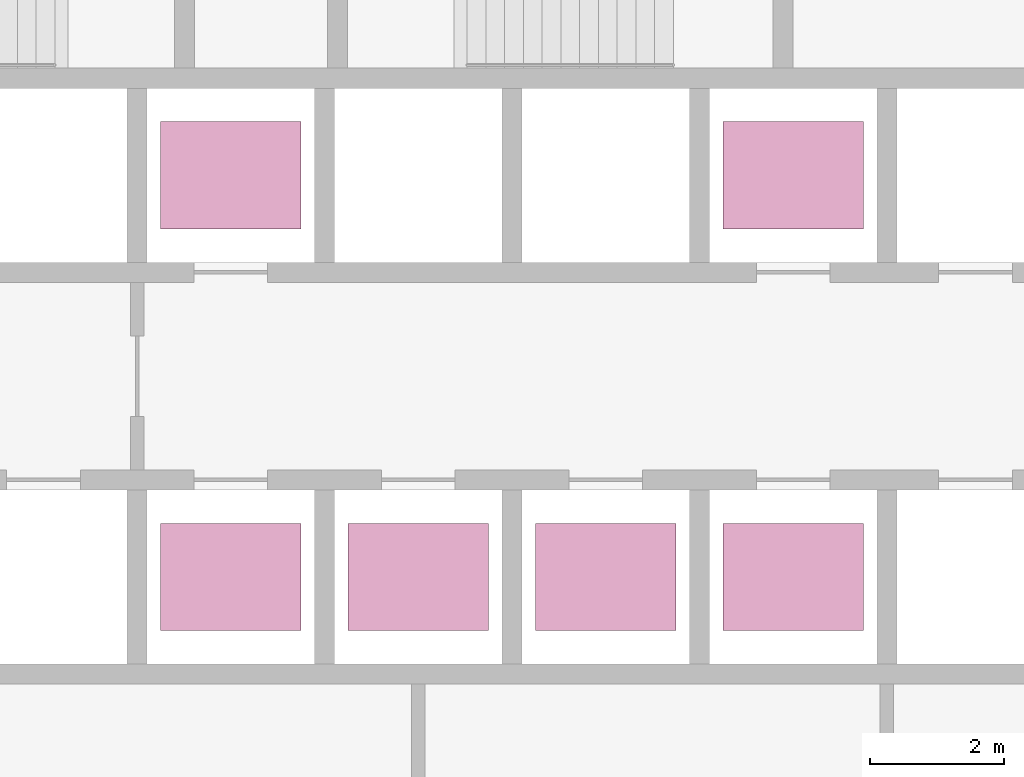
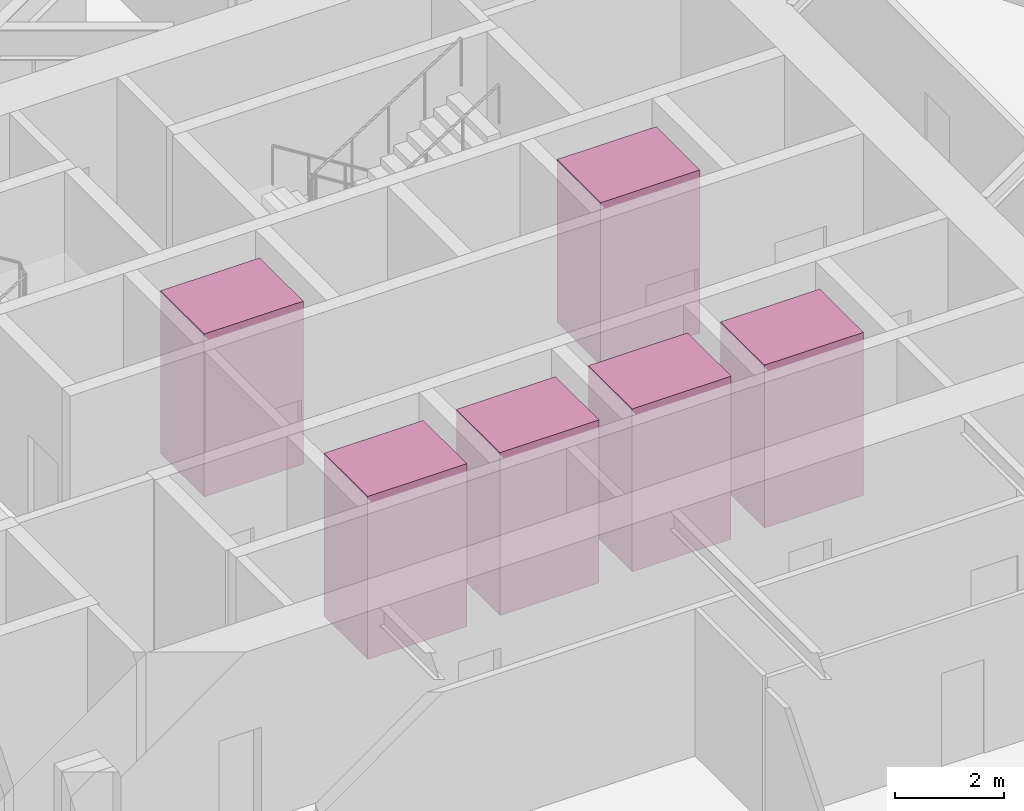
# One storey, part 19 of 19: 6 transport elements.
"""IFC4 building model written with IfcOpenShell, lengths in metres."""

from ifc_helpers import new_model, si_unit, direction, frame, origin, origin_2d, place, context, subcontext, project, spatial, rectangle, extrude, material, type_object, element, save


model = new_model("IFC4")

# Units and contexts
model_context = context("Model", 3, precision=1e-05, world=origin(), true_north=direction((0.0, 1.0)))
body_context = subcontext(model_context, "Body", "Model", "MODEL_VIEW")
ifc_project = project(units=[si_unit("LENGTHUNIT", "METRE"), si_unit("AREAUNIT", "SQUARE_METRE"), si_unit("VOLUMEUNIT", "CUBIC_METRE"), si_unit("PLANEANGLEUNIT", "RADIAN"), si_unit("MASSUNIT", "GRAM", prefix="KILO")], contexts=[model_context])

# Site, building, storey
site_placement = place(None, origin())
site = spatial("IfcSite", under=ifc_project, at=site_placement, CompositionType="ELEMENT")
building_placement = place(site_placement, origin())
building = spatial("IfcBuilding", under=site, at=building_placement, Name="Firuza Gate Tower and Library", CompositionType="ELEMENT")
storey_placement = place(building_placement, frame((0.0, 0.0, 136.60009765625)))
storey = spatial("IfcBuildingStorey", under=building, at=storey_placement, Name="L31", CompositionType="ELEMENT", Elevation=136.60009765625)

# Transport elements
ifc_material = material(Name="Stainless steel and glass", Category="steel")
transport_element_type = type_object("IfcTransportElementType", Name="Low-rise lift car 2100x1600", PredefinedType="ELEVATOR", material=ifc_material)
for number, where, z_axis, x_axis, name in (
    (1, (74.64990234375, 70.300048828125, 0.0), (0.0, 0.0, 1.0), (1.0, 0.0, 0.0), "Low-rise lift LR1"),
    (2, (77.449951171875, 70.300048828125, 0.0), (0.0, 0.0, 1.0), (1.0, 0.0, 0.0), "Low-rise lift LR2"),
    (3, (80.25, 70.300048828125, 0.0), (0.0, 0.0, 1.0), (1.0, 0.0, 0.0), "Low-rise lift LR3"),
    (4, (74.64990234375, 76.300048828125, 0.0), (0.0, 0.0, 1.0), (1.0, 0.0, 0.0), "Low-rise lift LR4"),
    (5, (83.050048828125, 70.300048828125, 0.0), (0.0, 0.0, 1.0), (1.0, 0.0, 0.0), "Low-rise lift LR5"),
    (6, (83.050048828125, 76.300048828125, 0.0), (0.0, 0.0, 1.0), (1.0, 0.0, 0.0), "Low-rise lift LR6"),
):
    element("IfcTransportElement", number, at=place(storey_placement, frame(where, z_axis=z_axis, x_axis=x_axis)), inside=storey, type_object=transport_element_type, Name=name, PredefinedType="ELEVATOR", context=body_context, shape_type="SweptSolid", body=[
        extrude(rectangle(XDim=2.10009765625, YDim=1.60009765625, at=origin_2d()), origin(), (0.0, 0.0, 1.0), 3.64990234375),
    ])

save(model, "model.ifc")
